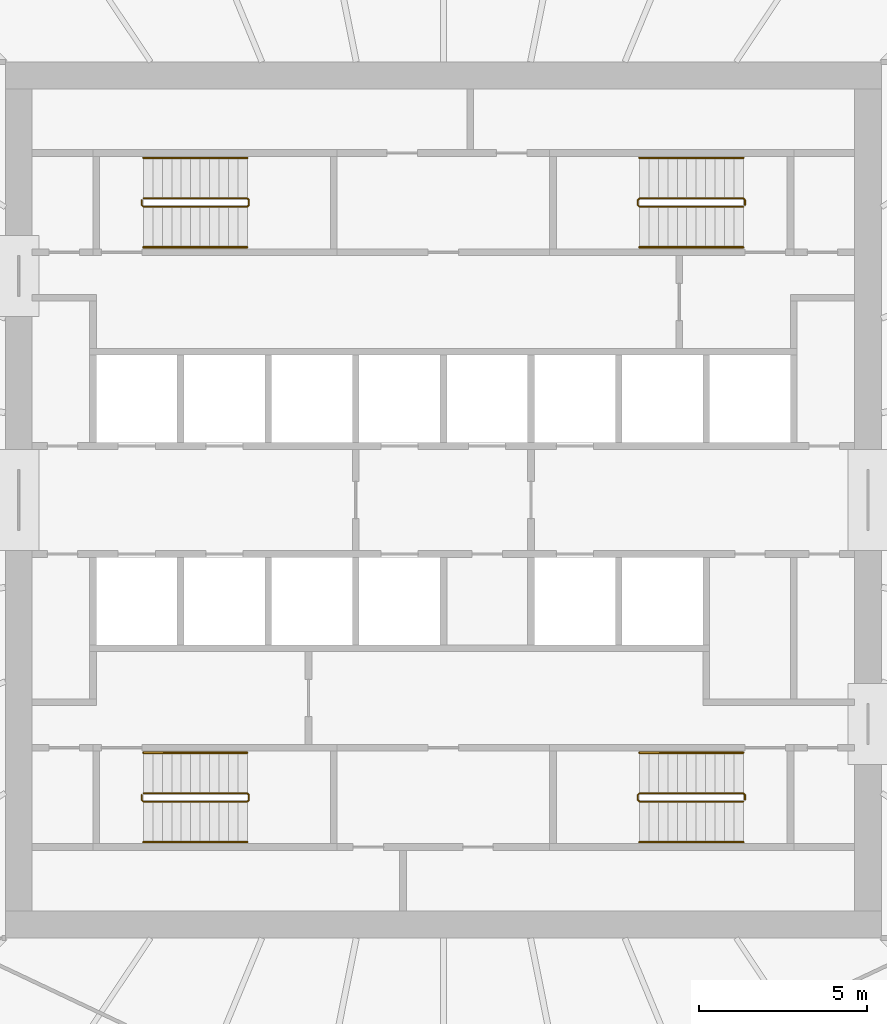
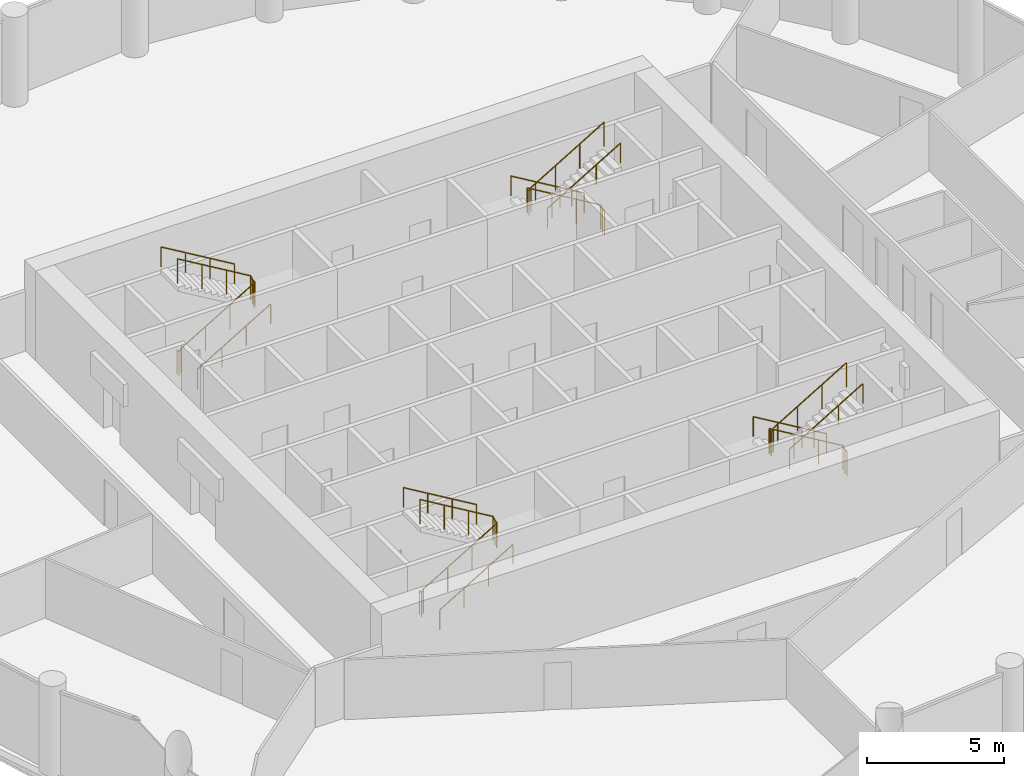
# One storey, part 8 of 8: 12 railings.
"""IFC4 building model written with IfcOpenShell, lengths in metres."""

import ifcopenshell
import ifcopenshell.guid

model = None  # the IFC model being written
_history = None  # IfcOwnerHistory: only IFC2X3 demands one
_inside = {}  # id of a spatial element -> (the spatial element, [elements in it])
_under = {}  # id of a project, library or spatial element -> (it, [spatial elements below it])
_declared = {}  # id of a project -> (the project, [libraries it declares])
_typed = {}  # id of a type object -> (the type object, [elements of that type])
_made_of = {}  # id of a material, layer set ... -> (it, [elements and type objects made of it])


def new_model(schema):
    """Start an empty IFC model of exactly this schema.

    Asked for "IFC4X3", IfcOpenShell would pick the latest addendum, in which some entities
    have other attributes; the version numbers below select the first issue.
    IFC2X3 requires an IfcOwnerHistory on every rooted entity: one is made here for all.
    """
    global model, _history
    if schema == "IFC4X3":
        model = ifcopenshell.file(schema_version=(4, 3, 0, 0))
    else:
        model = ifcopenshell.file(schema=schema)
    _inside.clear()
    _under.clear()
    _declared.clear()
    _typed.clear()
    _made_of.clear()
    _history = None
    if model.schema == "IFC2X3":
        org = make("IfcOrganization", Name="unknown")
        user = make(
            "IfcPersonAndOrganization",
            ThePerson=make("IfcPerson", FamilyName="unknown"),
            TheOrganization=org,
        )
        app = make(
            "IfcApplication",
            ApplicationDeveloper=org,
            Version="unknown",
            ApplicationFullName="unknown",
            ApplicationIdentifier="unknown",
        )
        _history = make(
            "IfcOwnerHistory",
            OwningUser=user,
            OwningApplication=app,
            ChangeAction="ADDED",
            CreationDate=0,
        )
    return model


def make(cls, **values):
    """One entity of the class cls with the attributes given. An attribute that is None is left unset."""
    return model.create_entity(
        cls, **{name: value for name, value in values.items() if value is not None}
    )


def rooted(cls, **values):
    """An entity with a GlobalId (a new one), such as an element, a storey or a relation."""
    return make(cls, GlobalId=ifcopenshell.guid.new(), OwnerHistory=_history, **values)


def si_unit(unit_type, name, prefix=None):
    """IfcSIUnit, for example si_unit("LENGTHUNIT", "METRE", prefix="MILLI")."""
    return make("IfcSIUnit", UnitType=unit_type, Prefix=prefix, Name=name)


def assignment(units):
    """IfcUnitAssignment: the units of a project."""
    return None if units is None else make("IfcUnitAssignment", Units=units)


def point(xyz):
    """IfcCartesianPoint."""
    return None if xyz is None else make("IfcCartesianPoint", Coordinates=xyz)


def direction(xyz):
    """IfcDirection."""
    return None if xyz is None else make("IfcDirection", DirectionRatios=xyz)


def frame(location, z_axis=None, x_axis=None):
    """IfcAxis2Placement3D, a coordinate frame: its origin and axes. An axis left out is left unset."""
    return make(
        "IfcAxis2Placement3D",
        Location=point(location),
        Axis=direction(z_axis),
        RefDirection=direction(x_axis),
    )


def frame_2d(location, x_axis=None):
    """IfcAxis2Placement2D, a coordinate frame in the plane: its origin and x axis."""
    return make(
        "IfcAxis2Placement2D", Location=point(location), RefDirection=direction(x_axis)
    )


def origin():
    """The frame at (0, 0, 0) with its axes left unset."""
    return frame((0.0, 0.0, 0.0))


def origin_2d():
    """The frame at (0, 0) in the plane with its x axis left unset."""
    return frame_2d((0.0, 0.0))


def place(relative_to, where):
    """IfcLocalPlacement: puts the frame where relative to a parent placement (None: the world)."""
    return make(
        "IfcLocalPlacement", PlacementRelTo=relative_to, RelativePlacement=where
    )


def context(
    kind, dimensions, precision=None, world=None, true_north=None, identifier=None
):
    """IfcGeometricRepresentationContext, for example the 3D "Model" context."""
    return make(
        "IfcGeometricRepresentationContext",
        ContextIdentifier=identifier,
        ContextType=kind,
        CoordinateSpaceDimension=dimensions,
        Precision=precision,
        WorldCoordinateSystem=world,
        TrueNorth=true_north,
    )


def subcontext(parent, identifier, kind, view, scale=None):
    """IfcGeometricRepresentationSubContext, for example "Body" below "Model"."""
    return make(
        "IfcGeometricRepresentationSubContext",
        ContextIdentifier=identifier,
        ContextType=kind,
        ParentContext=parent,
        TargetScale=scale,
        TargetView=view,
    )


def project(units=None, contexts=None):
    """IfcProject with its units and contexts."""
    return rooted(
        "IfcProject",
        Name="project",
        RepresentationContexts=contexts,
        UnitsInContext=assignment(units),
    )


def spatial(cls, under=None, at=None, **own):
    """A site, building, storey or space (cls), placed at a placement, below another one or the project."""
    s = rooted(cls, ObjectPlacement=at, **own)
    if under is not None:
        _under.setdefault(under.id(), (under, []))[1].append(s)
    return s


def profile(cls, at=None, kind="AREA", **sizes):
    """A parametric profile (cls). Its sizes go by their IFC names, for example OverallWidth=200.0."""
    return make(cls, ProfileType=kind, Position=at, **sizes)


def circle(**sizes):
    """IfcCircleProfileDef."""
    return profile("IfcCircleProfileDef", **sizes)


def extrude(swept, where, along, depth):
    """IfcExtrudedAreaSolid: the profile swept, set in the frame where, extruded along a direction by depth."""
    return make(
        "IfcExtrudedAreaSolid",
        SweptArea=swept,
        Position=where,
        ExtrudedDirection=direction(along),
        Depth=depth,
    )


def shape(context_of_items, identifier, shape_type, items):
    """IfcShapeRepresentation: the items that make up one representation, for example the "Body"."""
    return make(
        "IfcShapeRepresentation",
        ContextOfItems=context_of_items,
        RepresentationIdentifier=identifier,
        RepresentationType=shape_type,
        Items=items,
    )


def material(Name=None, Category=None):
    """IfcMaterial."""
    return make("IfcMaterial", Name=Name, Category=Category)


def made_of(thing, what):
    """Note that an element or type object is made of a material, layer set ...; save() writes the relation."""
    if what is not None:
        _made_of.setdefault(what.id(), (what, []))[1].append(thing)
    return thing


def type_object(cls, material=None, **own):
    """A type object (cls), such as IfcWallType, which elements share."""
    return made_of(rooted(cls, **own), material)


def element(
    cls,
    number,
    at=None,
    inside=None,
    cuts=None,
    type_object=None,
    material=None,
    context=None,
    identifier="Body",
    shape_type=None,
    held_by="IfcProductDefinitionShape",
    body=None,
    shapes=None,
    **own,
):
    """One element of the class cls, such as IfcWall. Its Tag is "e" and its number.

    at: its placement. inside: the storey or other place that contains it. cuts: it is an
    opening in that element (IfcRelVoidsElement). A single representation is given by context,
    identifier, shape_type and body (its items); several are given by shapes. held_by: the class
    of the entity that holds the representations. save() writes the other relations.
    """
    e = rooted(cls, Tag="e%d" % number, ObjectPlacement=at, **own)
    if body is not None:
        shapes = [shape(context, identifier, shape_type, body)]
    if shapes is not None:
        e.Representation = make(held_by, Representations=shapes)
    if inside is not None:
        _inside.setdefault(inside.id(), (inside, []))[1].append(e)
    if cuts is not None:
        rooted(
            "IfcRelVoidsElement", RelatingBuildingElement=cuts, RelatedOpeningElement=e
        )
    if type_object is not None:
        _typed.setdefault(type_object.id(), (type_object, []))[1].append(e)
    return made_of(e, material)


def aggregate(whole, parts):
    """IfcRelAggregates: a whole, such as a stair, and the parts it consists of."""
    return rooted("IfcRelAggregates", RelatingObject=whole, RelatedObjects=parts)


def save(model, path):
    """Write the relations noted so far, then the file.

    IfcRelAggregates (storeys below a building ...), IfcRelContainedInSpatialStructure (elements
    in a storey), IfcRelDefinesByType, IfcRelAssociatesMaterial and IfcRelDeclares: one each for
    every whole, place, type object, material and project.
    """
    for whole, parts in _under.values():
        aggregate(whole, parts)
    for where, things in _inside.values():
        rooted(
            "IfcRelContainedInSpatialStructure",
            RelatedElements=things,
            RelatingStructure=where,
        )
    for kind, things in _typed.values():
        rooted("IfcRelDefinesByType", RelatedObjects=things, RelatingType=kind)
    for what, things in _made_of.values():
        rooted("IfcRelAssociatesMaterial", RelatedObjects=things, RelatingMaterial=what)
    for by, libraries in _declared.values():
        rooted("IfcRelDeclares", RelatingContext=by, RelatedDefinitions=libraries)
    model.write(path)


model = new_model("IFC4")

# Units and contexts
model_context = context("Model", 3, precision=1e-05, world=origin(), true_north=direction((0.0, 1.0)))
body_context = subcontext(model_context, "Body", "Model", "MODEL_VIEW")
ifc_project = project(units=[si_unit("LENGTHUNIT", "METRE"), si_unit("AREAUNIT", "SQUARE_METRE"), si_unit("VOLUMEUNIT", "CUBIC_METRE"), si_unit("PLANEANGLEUNIT", "RADIAN"), si_unit("MASSUNIT", "GRAM", prefix="KILO")], contexts=[model_context])

# Site, building, storey
site_placement = place(None, origin())
site = spatial("IfcSite", under=ifc_project, at=site_placement, CompositionType="ELEMENT")
building_placement = place(site_placement, origin())
building = spatial("IfcBuilding", under=site, at=building_placement, Name="Corvane Civic Tower", CompositionType="ELEMENT")
storey_placement = place(building_placement, frame((0.0, 0.0, 253.5)))
storey = spatial("IfcBuildingStorey", under=building, at=storey_placement, Name="L60", CompositionType="ELEMENT", Elevation=253.5)

# Railings
ifc_material_1 = material(Name="Steel ASTM A572 Gr 50", Category="steel")
railing_type_1 = type_object("IfcRailingType", Name="ST-GUARD-1100", PredefinedType="GUARDRAIL", material=ifc_material_1)
railing_1_placement = place(storey_placement, frame((8.949951171875, 8.75, 0.0)))
element("IfcRailing", 1, at=railing_1_placement, inside=storey, type_object=railing_type_1, Name="L60 ST1 stair guard 1", PredefinedType="GUARDRAIL", context=body_context, shape_type="SweptSolid", body=[
    extrude(circle(Radius=0.02392578125, at=origin_2d()), frame((0.0, 0.0, 1.076171875), z_axis=(0.0, 1.0, 0.0), x_axis=(-1.0, 0.0, 0.0)), (0.0, 0.0, 1.0), 0.14990234375),
    extrude(circle(Radius=0.02392578125, at=origin_2d()), frame((0.0, 0.14990234375, 1.076171875), z_axis=(-0.27628659633, 0.27628659633, 0.920506074601), x_axis=(-0.707106781187, -0.707106781187, 0.0)), (0.0, 0.0, 1.0), 0.18115234375),
    extrude(circle(Radius=0.02392578125, at=origin_2d()), frame((-0.050048828125, 0.199951171875, 1.24267578125), z_axis=(-0.859290745958, 0.0, 0.51148745235), x_axis=(0.0, -1.0, 0.0)), (0.0, 0.0, 1.0), 3.584228515625),
    extrude(circle(Radius=0.02392578125, at=origin_2d()), frame((-3.1298828125, 0.199951171875, 3.076171875), z_axis=(-0.707106781187, -0.707106781187, 0.0), x_axis=(0.707106781187, -0.707106781187, 0.0)), (0.0, 0.0, 1.0), 0.07080078125),
    extrude(circle(Radius=0.02392578125, at=origin_2d()), frame((-3.179931640625, 0.14990234375, 3.076171875), z_axis=(0.0, -1.0, 0.0), x_axis=(1.0, 0.0, 0.0)), (0.0, 0.0, 1.0), 0.14990234375),
    extrude(circle(Radius=0.02392578125, at=origin_2d()), frame((-3.179931640625, 0.0, 3.076171875), z_axis=(0.27628659633, -0.27628659633, 0.920506074601), x_axis=(0.707106781187, 0.707106781187, 0.0)), (0.0, 0.0, 1.0), 0.18115234375),
    extrude(circle(Radius=0.02392578125, at=origin_2d()), frame((-3.1298828125, -0.050048828125, 3.24267578125), z_axis=(0.859290745958, 0.0, 0.51148745235), x_axis=(0.0, 1.0, 0.0)), (0.0, 0.0, 1.0), 3.584228515625),
    extrude(circle(Radius=0.02099609375, at=origin_2d()), origin(), (0.0, 0.0, 1.0), 1.052001953125),
    extrude(circle(Radius=0.02099609375, at=origin_2d()), frame((0.0, 0.14990234375, 0.0)), (0.0, 0.0, 1.0), 1.052001953125),
    extrude(circle(Radius=0.02099609375, at=origin_2d()), frame((-0.050048828125, 0.199951171875, 0.166748046875)), (0.0, 0.0, 1.0), 1.052001953125),
    extrude(circle(Radius=0.02099609375, at=origin_2d()), frame((-1.07666015625, 0.199951171875, 0.77783203125)), (0.0, 0.0, 1.0), 1.052001953125),
    extrude(circle(Radius=0.02099609375, at=origin_2d()), frame((-2.103271484375, 0.199951171875, 1.388916015625)), (0.0, 0.0, 1.0), 1.052001953125),
    extrude(circle(Radius=0.02099609375, at=origin_2d()), frame((-3.1298828125, 0.199951171875, 2.0)), (0.0, 0.0, 1.0), 1.052001953125),
    extrude(circle(Radius=0.02099609375, at=origin_2d()), frame((-3.179931640625, 0.14990234375, 2.0)), (0.0, 0.0, 1.0), 1.052001953125),
    extrude(circle(Radius=0.02099609375, at=origin_2d()), frame((-3.179931640625, 0.0, 2.0)), (0.0, 0.0, 1.0), 1.052001953125),
    extrude(circle(Radius=0.02099609375, at=origin_2d()), frame((-3.1298828125, -0.050048828125, 2.166748046875)), (0.0, 0.0, 1.0), 1.052001953125),
    extrude(circle(Radius=0.02099609375, at=origin_2d()), frame((-2.103271484375, -0.050048828125, 2.77783203125)), (0.0, 0.0, 1.0), 1.052001953125),
    extrude(circle(Radius=0.02099609375, at=origin_2d()), frame((-1.07666015625, -0.050048828125, 3.388916015625)), (0.0, 0.0, 1.0), 1.052001953125),
    extrude(circle(Radius=0.02099609375, at=origin_2d()), frame((-0.050048828125, -0.050048828125, 4.0)), (0.0, 0.0, 1.0), 1.052001953125),
])
railing_2_placement = place(storey_placement, frame((8.949951171875, -8.89990234375, 0.0)))
element("IfcRailing", 2, at=railing_2_placement, inside=storey, type_object=railing_type_1, Name="L60 ST2 stair guard 1", PredefinedType="GUARDRAIL", context=body_context, shape_type="SweptSolid", body=[
    extrude(circle(Radius=0.02392578125, at=origin_2d()), frame((0.0, 0.0, 1.076171875), z_axis=(0.0, 1.0, 0.0), x_axis=(-1.0, 0.0, 0.0)), (0.0, 0.0, 1.0), 0.14990234375),
    extrude(circle(Radius=0.02392578125, at=origin_2d()), frame((0.0, 0.14990234375, 1.076171875), z_axis=(-0.27628659633, 0.27628659633, 0.920506074601), x_axis=(-0.707106781187, -0.707106781187, 0.0)), (0.0, 0.0, 1.0), 0.18115234375),
    extrude(circle(Radius=0.02392578125, at=origin_2d()), frame((-0.050048828125, 0.199951171875, 1.24267578125), z_axis=(-0.859290745958, 0.0, 0.51148745235), x_axis=(0.0, -1.0, 0.0)), (0.0, 0.0, 1.0), 3.584228515625),
    extrude(circle(Radius=0.02392578125, at=origin_2d()), frame((-3.1298828125, 0.199951171875, 3.076171875), z_axis=(-0.707106781187, -0.707106781187, 0.0), x_axis=(0.707106781187, -0.707106781187, 0.0)), (0.0, 0.0, 1.0), 0.07080078125),
    extrude(circle(Radius=0.02392578125, at=origin_2d()), frame((-3.179931640625, 0.14990234375, 3.076171875), z_axis=(0.0, -1.0, 0.0), x_axis=(1.0, 0.0, 0.0)), (0.0, 0.0, 1.0), 0.14990234375),
    extrude(circle(Radius=0.02392578125, at=origin_2d()), frame((-3.179931640625, 0.0, 3.076171875), z_axis=(0.27628659633, -0.27628659633, 0.920506074601), x_axis=(0.707106781187, 0.707106781187, 0.0)), (0.0, 0.0, 1.0), 0.18115234375),
    extrude(circle(Radius=0.02392578125, at=origin_2d()), frame((-3.1298828125, -0.050048828125, 3.24267578125), z_axis=(0.859290745958, 0.0, 0.51148745235), x_axis=(0.0, 1.0, 0.0)), (0.0, 0.0, 1.0), 3.584228515625),
    extrude(circle(Radius=0.02099609375, at=origin_2d()), origin(), (0.0, 0.0, 1.0), 1.052001953125),
    extrude(circle(Radius=0.02099609375, at=origin_2d()), frame((0.0, 0.14990234375, 0.0)), (0.0, 0.0, 1.0), 1.052001953125),
    extrude(circle(Radius=0.02099609375, at=origin_2d()), frame((-0.050048828125, 0.199951171875, 0.166748046875)), (0.0, 0.0, 1.0), 1.052001953125),
    extrude(circle(Radius=0.02099609375, at=origin_2d()), frame((-1.07666015625, 0.199951171875, 0.77783203125)), (0.0, 0.0, 1.0), 1.052001953125),
    extrude(circle(Radius=0.02099609375, at=origin_2d()), frame((-2.103271484375, 0.199951171875, 1.388916015625)), (0.0, 0.0, 1.0), 1.052001953125),
    extrude(circle(Radius=0.02099609375, at=origin_2d()), frame((-3.1298828125, 0.199951171875, 2.0)), (0.0, 0.0, 1.0), 1.052001953125),
    extrude(circle(Radius=0.02099609375, at=origin_2d()), frame((-3.179931640625, 0.14990234375, 2.0)), (0.0, 0.0, 1.0), 1.052001953125),
    extrude(circle(Radius=0.02099609375, at=origin_2d()), frame((-3.179931640625, 0.0, 2.0)), (0.0, 0.0, 1.0), 1.052001953125),
    extrude(circle(Radius=0.02099609375, at=origin_2d()), frame((-3.1298828125, -0.050048828125, 2.166748046875)), (0.0, 0.0, 1.0), 1.052001953125),
    extrude(circle(Radius=0.02099609375, at=origin_2d()), frame((-2.103271484375, -0.050048828125, 2.77783203125)), (0.0, 0.0, 1.0), 1.052001953125),
    extrude(circle(Radius=0.02099609375, at=origin_2d()), frame((-1.07666015625, -0.050048828125, 3.388916015625)), (0.0, 0.0, 1.0), 1.052001953125),
    extrude(circle(Radius=0.02099609375, at=origin_2d()), frame((-0.050048828125, -0.050048828125, 4.0)), (0.0, 0.0, 1.0), 1.052001953125),
])
railing_3_placement = place(storey_placement, frame((-8.949951171875, -8.75, 0.0)))
element("IfcRailing", 3, at=railing_3_placement, inside=storey, type_object=railing_type_1, Name="L60 ST3 stair guard 1", PredefinedType="GUARDRAIL", context=body_context, shape_type="SweptSolid", body=[
    extrude(circle(Radius=0.02392578125, at=origin_2d()), frame((0.0, 0.0, 1.076171875), z_axis=(0.0, -1.0, 0.0), x_axis=(1.0, 0.0, 0.0)), (0.0, 0.0, 1.0), 0.14990234375),
    extrude(circle(Radius=0.02392578125, at=origin_2d()), frame((0.0, -0.14990234375, 1.076171875), z_axis=(0.27628659633, -0.27628659633, 0.920506074601), x_axis=(0.707106781187, 0.707106781187, 0.0)), (0.0, 0.0, 1.0), 0.18115234375),
    extrude(circle(Radius=0.02392578125, at=origin_2d()), frame((0.050048828125, -0.199951171875, 1.24267578125), z_axis=(0.859290745958, 0.0, 0.51148745235), x_axis=(0.0, 1.0, 0.0)), (0.0, 0.0, 1.0), 3.584228515625),
    extrude(circle(Radius=0.02392578125, at=origin_2d()), frame((3.1298828125, -0.199951171875, 3.076171875), z_axis=(0.707106781187, 0.707106781187, 0.0), x_axis=(-0.707106781187, 0.707106781187, 0.0)), (0.0, 0.0, 1.0), 0.07080078125),
    extrude(circle(Radius=0.02392578125, at=origin_2d()), frame((3.179931640625, -0.14990234375, 3.076171875), z_axis=(0.0, 1.0, 0.0), x_axis=(-1.0, 0.0, 0.0)), (0.0, 0.0, 1.0), 0.14990234375),
    extrude(circle(Radius=0.02392578125, at=origin_2d()), frame((3.179931640625, 0.0, 3.076171875), z_axis=(-0.27628659633, 0.27628659633, 0.920506074601), x_axis=(-0.707106781187, -0.707106781187, 0.0)), (0.0, 0.0, 1.0), 0.18115234375),
    extrude(circle(Radius=0.02392578125, at=origin_2d()), frame((3.1298828125, 0.050048828125, 3.24267578125), z_axis=(-0.859290745958, 0.0, 0.51148745235), x_axis=(0.0, -1.0, 0.0)), (0.0, 0.0, 1.0), 3.584228515625),
    extrude(circle(Radius=0.02099609375, at=origin_2d()), origin(), (0.0, 0.0, 1.0), 1.052001953125),
    extrude(circle(Radius=0.02099609375, at=origin_2d()), frame((0.0, -0.14990234375, 0.0)), (0.0, 0.0, 1.0), 1.052001953125),
    extrude(circle(Radius=0.02099609375, at=origin_2d()), frame((0.050048828125, -0.199951171875, 0.166748046875)), (0.0, 0.0, 1.0), 1.052001953125),
    extrude(circle(Radius=0.02099609375, at=origin_2d()), frame((1.07666015625, -0.199951171875, 0.77783203125)), (0.0, 0.0, 1.0), 1.052001953125),
    extrude(circle(Radius=0.02099609375, at=origin_2d()), frame((2.103271484375, -0.199951171875, 1.388916015625)), (0.0, 0.0, 1.0), 1.052001953125),
    extrude(circle(Radius=0.02099609375, at=origin_2d()), frame((3.1298828125, -0.199951171875, 2.0)), (0.0, 0.0, 1.0), 1.052001953125),
    extrude(circle(Radius=0.02099609375, at=origin_2d()), frame((3.179931640625, -0.14990234375, 2.0)), (0.0, 0.0, 1.0), 1.052001953125),
    extrude(circle(Radius=0.02099609375, at=origin_2d()), frame((3.179931640625, 0.0, 2.0)), (0.0, 0.0, 1.0), 1.052001953125),
    extrude(circle(Radius=0.02099609375, at=origin_2d()), frame((3.1298828125, 0.050048828125, 2.166748046875)), (0.0, 0.0, 1.0), 1.052001953125),
    extrude(circle(Radius=0.02099609375, at=origin_2d()), frame((2.103271484375, 0.050048828125, 2.77783203125)), (0.0, 0.0, 1.0), 1.052001953125),
    extrude(circle(Radius=0.02099609375, at=origin_2d()), frame((1.07666015625, 0.050048828125, 3.388916015625)), (0.0, 0.0, 1.0), 1.052001953125),
    extrude(circle(Radius=0.02099609375, at=origin_2d()), frame((0.050048828125, 0.050048828125, 4.0)), (0.0, 0.0, 1.0), 1.052001953125),
])
railing_4_placement = place(storey_placement, frame((-8.949951171875, 8.89990234375, 0.0)))
element("IfcRailing", 4, at=railing_4_placement, inside=storey, type_object=railing_type_1, Name="L60 ST4 stair guard 1", PredefinedType="GUARDRAIL", context=body_context, shape_type="SweptSolid", body=[
    extrude(circle(Radius=0.02392578125, at=origin_2d()), frame((0.0, 0.0, 1.076171875), z_axis=(0.0, -1.0, 0.0), x_axis=(1.0, 0.0, 0.0)), (0.0, 0.0, 1.0), 0.14990234375),
    extrude(circle(Radius=0.02392578125, at=origin_2d()), frame((0.0, -0.14990234375, 1.076171875), z_axis=(0.27628659633, -0.27628659633, 0.920506074601), x_axis=(0.707106781187, 0.707106781187, 0.0)), (0.0, 0.0, 1.0), 0.18115234375),
    extrude(circle(Radius=0.02392578125, at=origin_2d()), frame((0.050048828125, -0.199951171875, 1.24267578125), z_axis=(0.859290745958, 0.0, 0.51148745235), x_axis=(0.0, 1.0, 0.0)), (0.0, 0.0, 1.0), 3.584228515625),
    extrude(circle(Radius=0.02392578125, at=origin_2d()), frame((3.1298828125, -0.199951171875, 3.076171875), z_axis=(0.707106781187, 0.707106781187, 0.0), x_axis=(-0.707106781187, 0.707106781187, 0.0)), (0.0, 0.0, 1.0), 0.07080078125),
    extrude(circle(Radius=0.02392578125, at=origin_2d()), frame((3.179931640625, -0.14990234375, 3.076171875), z_axis=(0.0, 1.0, 0.0), x_axis=(-1.0, 0.0, 0.0)), (0.0, 0.0, 1.0), 0.14990234375),
    extrude(circle(Radius=0.02392578125, at=origin_2d()), frame((3.179931640625, 0.0, 3.076171875), z_axis=(-0.27628659633, 0.27628659633, 0.920506074601), x_axis=(-0.707106781187, -0.707106781187, 0.0)), (0.0, 0.0, 1.0), 0.18115234375),
    extrude(circle(Radius=0.02392578125, at=origin_2d()), frame((3.1298828125, 0.050048828125, 3.24267578125), z_axis=(-0.859290745958, 0.0, 0.51148745235), x_axis=(0.0, -1.0, 0.0)), (0.0, 0.0, 1.0), 3.584228515625),
    extrude(circle(Radius=0.02099609375, at=origin_2d()), origin(), (0.0, 0.0, 1.0), 1.052001953125),
    extrude(circle(Radius=0.02099609375, at=origin_2d()), frame((0.0, -0.14990234375, 0.0)), (0.0, 0.0, 1.0), 1.052001953125),
    extrude(circle(Radius=0.02099609375, at=origin_2d()), frame((0.050048828125, -0.199951171875, 0.166748046875)), (0.0, 0.0, 1.0), 1.052001953125),
    extrude(circle(Radius=0.02099609375, at=origin_2d()), frame((1.07666015625, -0.199951171875, 0.77783203125)), (0.0, 0.0, 1.0), 1.052001953125),
    extrude(circle(Radius=0.02099609375, at=origin_2d()), frame((2.103271484375, -0.199951171875, 1.388916015625)), (0.0, 0.0, 1.0), 1.052001953125),
    extrude(circle(Radius=0.02099609375, at=origin_2d()), frame((3.1298828125, -0.199951171875, 2.0)), (0.0, 0.0, 1.0), 1.052001953125),
    extrude(circle(Radius=0.02099609375, at=origin_2d()), frame((3.179931640625, -0.14990234375, 2.0)), (0.0, 0.0, 1.0), 1.052001953125),
    extrude(circle(Radius=0.02099609375, at=origin_2d()), frame((3.179931640625, 0.0, 2.0)), (0.0, 0.0, 1.0), 1.052001953125),
    extrude(circle(Radius=0.02099609375, at=origin_2d()), frame((3.1298828125, 0.050048828125, 2.166748046875)), (0.0, 0.0, 1.0), 1.052001953125),
    extrude(circle(Radius=0.02099609375, at=origin_2d()), frame((2.103271484375, 0.050048828125, 2.77783203125)), (0.0, 0.0, 1.0), 1.052001953125),
    extrude(circle(Radius=0.02099609375, at=origin_2d()), frame((1.07666015625, 0.050048828125, 3.388916015625)), (0.0, 0.0, 1.0), 1.052001953125),
    extrude(circle(Radius=0.02099609375, at=origin_2d()), frame((0.050048828125, 0.050048828125, 4.0)), (0.0, 0.0, 1.0), 1.052001953125),
])
ifc_material_2 = material(Name="Steel ASTM A572 Gr 50", Category="steel")
railing_type_2 = type_object("IfcRailingType", Name="ST-HANDRAIL-900", PredefinedType="HANDRAIL", material=ifc_material_2)
railing_5_placement = place(storey_placement, frame((8.89990234375, 10.14990234375, 0.166748046875)))
element("IfcRailing", 5, at=railing_5_placement, inside=storey, type_object=railing_type_2, Name="L60 ST1 stair handrail 1", PredefinedType="HANDRAIL", context=body_context, shape_type="SweptSolid", body=[
    extrude(circle(Radius=0.02392578125, at=origin_2d()), frame((0.0, 0.0, 0.8759765625), z_axis=(-0.859290745958, 0.0, 0.51148745235), x_axis=(0.0, -1.0, 0.0)), (0.0, 0.0, 1.0), 3.584228515625),
    extrude(circle(Radius=0.02099609375, at=origin_2d()), origin(), (0.0, 0.0, 1.0), 0.851806640625),
    extrude(circle(Radius=0.02099609375, at=origin_2d()), frame((-1.026611328125, 0.0, 0.611083984375)), (0.0, 0.0, 1.0), 0.851806640625),
    extrude(circle(Radius=0.02099609375, at=origin_2d()), frame((-2.05322265625, 0.0, 1.22216796875)), (0.0, 0.0, 1.0), 0.851806640625),
    extrude(circle(Radius=0.02099609375, at=origin_2d()), frame((-3.079833984375, 0.0, 1.833251953125)), (0.0, 0.0, 1.0), 0.851806640625),
])
railing_6_placement = place(storey_placement, frame((5.820068359375, 7.5, 2.166748046875)))
element("IfcRailing", 6, at=railing_6_placement, inside=storey, type_object=railing_type_2, Name="L60 ST1 stair handrail 2", PredefinedType="HANDRAIL", context=body_context, shape_type="SweptSolid", body=[
    extrude(circle(Radius=0.02392578125, at=origin_2d()), frame((0.0, 0.0, 0.8759765625), z_axis=(0.859290745958, 0.0, 0.51148745235), x_axis=(0.0, 1.0, 0.0)), (0.0, 0.0, 1.0), 3.584228515625),
    extrude(circle(Radius=0.02099609375, at=origin_2d()), origin(), (0.0, 0.0, 1.0), 0.851806640625),
    extrude(circle(Radius=0.02099609375, at=origin_2d()), frame((1.026611328125, 0.0, 0.611083984375)), (0.0, 0.0, 1.0), 0.851806640625),
    extrude(circle(Radius=0.02099609375, at=origin_2d()), frame((2.05322265625, 0.0, 1.22216796875)), (0.0, 0.0, 1.0), 0.851806640625),
    extrude(circle(Radius=0.02099609375, at=origin_2d()), frame((3.079833984375, 0.0, 1.833251953125)), (0.0, 0.0, 1.0), 0.851806640625),
])
railing_7_placement = place(storey_placement, frame((8.89990234375, -7.5, 0.166748046875)))
element("IfcRailing", 7, at=railing_7_placement, inside=storey, type_object=railing_type_2, Name="L60 ST2 stair handrail 1", PredefinedType="HANDRAIL", context=body_context, shape_type="SweptSolid", body=[
    extrude(circle(Radius=0.02392578125, at=origin_2d()), frame((0.0, 0.0, 0.8759765625), z_axis=(-0.859290745958, 0.0, 0.51148745235), x_axis=(0.0, -1.0, 0.0)), (0.0, 0.0, 1.0), 3.584228515625),
    extrude(circle(Radius=0.02099609375, at=origin_2d()), origin(), (0.0, 0.0, 1.0), 0.851806640625),
    extrude(circle(Radius=0.02099609375, at=origin_2d()), frame((-1.026611328125, 0.0, 0.611083984375)), (0.0, 0.0, 1.0), 0.851806640625),
    extrude(circle(Radius=0.02099609375, at=origin_2d()), frame((-2.05322265625, 0.0, 1.22216796875)), (0.0, 0.0, 1.0), 0.851806640625),
    extrude(circle(Radius=0.02099609375, at=origin_2d()), frame((-3.079833984375, 0.0, 1.833251953125)), (0.0, 0.0, 1.0), 0.851806640625),
])
for number, where, name in (
    (8, (5.820068359375, -10.14990234375, 2.166748046875), "L60 ST2 stair handrail 2"),
    (9, (-8.89990234375, -10.14990234375, 0.166748046875), "L60 ST3 stair handrail 1"),
):
    element("IfcRailing", number, at=place(storey_placement, frame(where)), inside=storey, type_object=railing_type_2, Name=name, PredefinedType="HANDRAIL", context=body_context, shape_type="SweptSolid", body=[
        extrude(circle(Radius=0.02392578125, at=origin_2d()), frame((0.0, 0.0, 0.8759765625), z_axis=(0.859290745958, 0.0, 0.51148745235), x_axis=(0.0, 1.0, 0.0)), (0.0, 0.0, 1.0), 3.584228515625),
        extrude(circle(Radius=0.02099609375, at=origin_2d()), origin(), (0.0, 0.0, 1.0), 0.851806640625),
        extrude(circle(Radius=0.02099609375, at=origin_2d()), frame((1.026611328125, 0.0, 0.611083984375)), (0.0, 0.0, 1.0), 0.851806640625),
        extrude(circle(Radius=0.02099609375, at=origin_2d()), frame((2.05322265625, 0.0, 1.22216796875)), (0.0, 0.0, 1.0), 0.851806640625),
        extrude(circle(Radius=0.02099609375, at=origin_2d()), frame((3.079833984375, 0.0, 1.833251953125)), (0.0, 0.0, 1.0), 0.851806640625),
    ])
railing_8_placement = place(storey_placement, frame((-5.820068359375, -7.5, 2.166748046875)))
element("IfcRailing", 10, at=railing_8_placement, inside=storey, type_object=railing_type_2, Name="L60 ST3 stair handrail 2", PredefinedType="HANDRAIL", context=body_context, shape_type="SweptSolid", body=[
    extrude(circle(Radius=0.02392578125, at=origin_2d()), frame((0.0, 0.0, 0.8759765625), z_axis=(-0.859290745958, 0.0, 0.51148745235), x_axis=(0.0, -1.0, 0.0)), (0.0, 0.0, 1.0), 3.584228515625),
    extrude(circle(Radius=0.02099609375, at=origin_2d()), origin(), (0.0, 0.0, 1.0), 0.851806640625),
    extrude(circle(Radius=0.02099609375, at=origin_2d()), frame((-1.026611328125, 0.0, 0.611083984375)), (0.0, 0.0, 1.0), 0.851806640625),
    extrude(circle(Radius=0.02099609375, at=origin_2d()), frame((-2.05322265625, 0.0, 1.22216796875)), (0.0, 0.0, 1.0), 0.851806640625),
    extrude(circle(Radius=0.02099609375, at=origin_2d()), frame((-3.079833984375, 0.0, 1.833251953125)), (0.0, 0.0, 1.0), 0.851806640625),
])
railing_9_placement = place(storey_placement, frame((-8.89990234375, 7.5, 0.166748046875)))
element("IfcRailing", 11, at=railing_9_placement, inside=storey, type_object=railing_type_2, Name="L60 ST4 stair handrail 1", PredefinedType="HANDRAIL", context=body_context, shape_type="SweptSolid", body=[
    extrude(circle(Radius=0.02392578125, at=origin_2d()), frame((0.0, 0.0, 0.8759765625), z_axis=(0.859290745958, 0.0, 0.51148745235), x_axis=(0.0, 1.0, 0.0)), (0.0, 0.0, 1.0), 3.584228515625),
    extrude(circle(Radius=0.02099609375, at=origin_2d()), origin(), (0.0, 0.0, 1.0), 0.851806640625),
    extrude(circle(Radius=0.02099609375, at=origin_2d()), frame((1.026611328125, 0.0, 0.611083984375)), (0.0, 0.0, 1.0), 0.851806640625),
    extrude(circle(Radius=0.02099609375, at=origin_2d()), frame((2.05322265625, 0.0, 1.22216796875)), (0.0, 0.0, 1.0), 0.851806640625),
    extrude(circle(Radius=0.02099609375, at=origin_2d()), frame((3.079833984375, 0.0, 1.833251953125)), (0.0, 0.0, 1.0), 0.851806640625),
])
railing_10_placement = place(storey_placement, frame((-5.820068359375, 10.14990234375, 2.166748046875)))
element("IfcRailing", 12, at=railing_10_placement, inside=storey, type_object=railing_type_2, Name="L60 ST4 stair handrail 2", PredefinedType="HANDRAIL", context=body_context, shape_type="SweptSolid", body=[
    extrude(circle(Radius=0.02392578125, at=origin_2d()), frame((0.0, 0.0, 0.8759765625), z_axis=(-0.859290745958, 0.0, 0.51148745235), x_axis=(0.0, -1.0, 0.0)), (0.0, 0.0, 1.0), 3.584228515625),
    extrude(circle(Radius=0.02099609375, at=origin_2d()), origin(), (0.0, 0.0, 1.0), 0.851806640625),
    extrude(circle(Radius=0.02099609375, at=origin_2d()), frame((-1.026611328125, 0.0, 0.611083984375)), (0.0, 0.0, 1.0), 0.851806640625),
    extrude(circle(Radius=0.02099609375, at=origin_2d()), frame((-2.05322265625, 0.0, 1.22216796875)), (0.0, 0.0, 1.0), 0.851806640625),
    extrude(circle(Radius=0.02099609375, at=origin_2d()), frame((-3.079833984375, 0.0, 1.833251953125)), (0.0, 0.0, 1.0), 0.851806640625),
])

save(model, "model.ifc")
